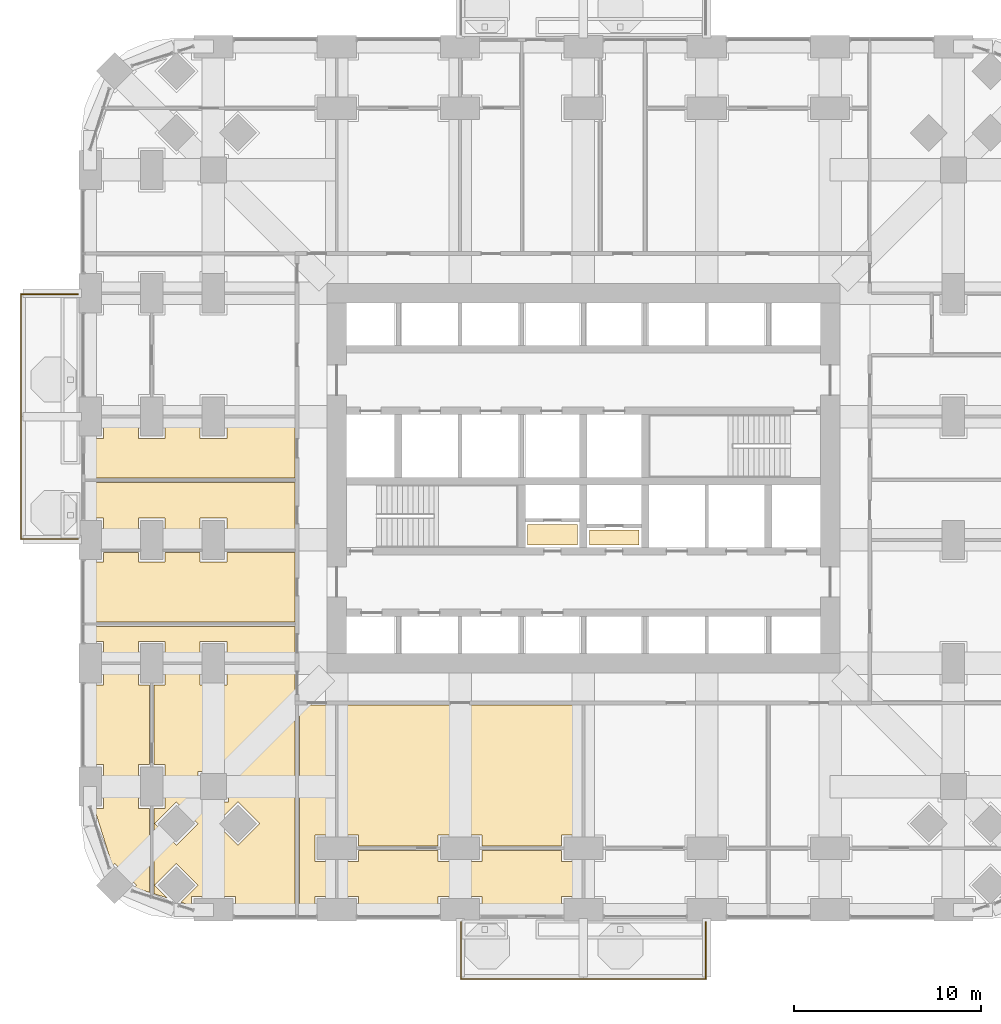
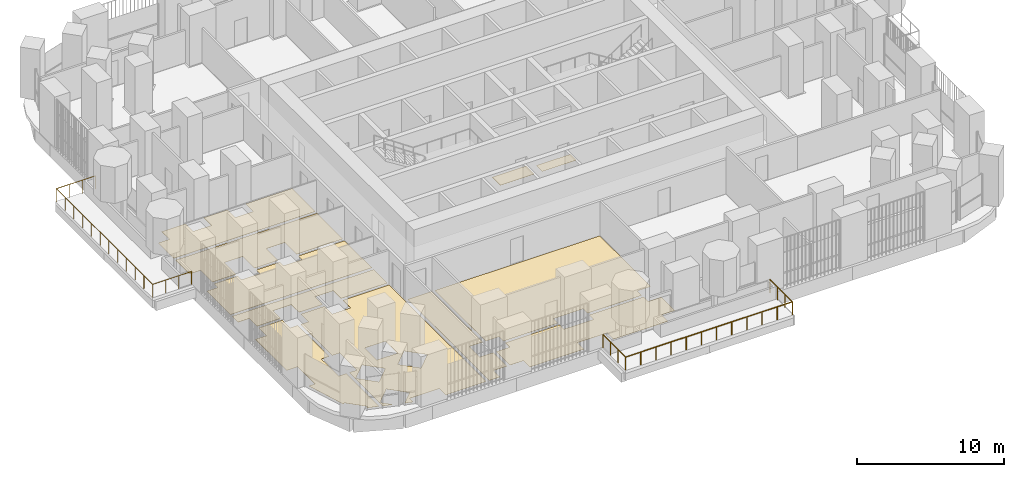
# One storey, part 22 of 26: 11 coverings, 2 railings.
"""IFC4 building model written with IfcOpenShell, lengths in metres."""

from ifc_helpers import new_model, si_unit, direction, frame, origin, place, context, subcontext, project, spatial, polyline, outline, extrude, material, layer, layer_set, type_object, element, save


model = new_model("IFC4")

# Units and contexts
model_context = context("Model", 3, precision=1e-05, world=origin(), true_north=direction((0.0, 1.0)))
body_context = subcontext(model_context, "Body", "Model", "MODEL_VIEW")
ifc_project = project(units=[si_unit("LENGTHUNIT", "METRE"), si_unit("AREAUNIT", "SQUARE_METRE"), si_unit("VOLUMEUNIT", "CUBIC_METRE"), si_unit("PLANEANGLEUNIT", "RADIAN"), si_unit("MASSUNIT", "GRAM", prefix="KILO")], contexts=[model_context])

# Site, building, storey
site_placement = place(None, origin())
site = spatial("IfcSite", under=ifc_project, at=site_placement, CompositionType="ELEMENT")
building_placement = place(site_placement, origin())
building = spatial("IfcBuilding", under=site, at=building_placement, Name="Cobogo Forest Laboratory Tower", CompositionType="ELEMENT")
storey_placement = place(building_placement, frame((0.0, 0.0, 25.5)))
storey = spatial("IfcBuildingStorey", under=building, at=storey_placement, Name="L05", CompositionType="ELEMENT", Elevation=25.5)

# Railings
ifc_material_1 = material(Name="Laminated glass balustrade", Category="glass")
railing_type = type_object("IfcRailingType", Name="BG1 glass balustrade 1100", PredefinedType="GUARDRAIL", material=ifc_material_1)
railing_1_placement = place(storey_placement, frame((19.85009765625, -0.64990234375, 0.0)))
element("IfcRailing", 1, at=railing_1_placement, inside=storey, type_object=railing_type, Name="Balcony balustrade BAL-S1 L05", PredefinedType="GUARDRAIL", context=body_context, shape_type="SweptSolid", body=[
    extrude(outline(polyline([(0.022216796875, 0.00927734375), (0.00927734375, 0.022216796875), (-0.00927734375, 0.022216796875), (-0.022216796875, 0.00927734375), (-0.022216796875, -0.00927734375), (-0.00927734375, -0.022216796875), (0.00927734375, -0.022216796875), (0.022216796875, -0.00927734375), (0.022216796875, 0.00927734375)])), frame((0.0, 0.0, 1.077880859375), z_axis=(0.0, -1.0, 0.0), x_axis=(1.0, 0.0, 0.0)), (0.0, 0.0, 1.0), 3.050048828125),
    extrude(outline(polyline([(0.022216796875, 0.00927734375), (0.00927734375, 0.022216796875), (-0.00927734375, 0.022216796875), (-0.022216796875, 0.00927734375), (-0.022216796875, -0.00927734375), (-0.00927734375, -0.022216796875), (0.00927734375, -0.022216796875), (0.022216796875, -0.00927734375), (0.022216796875, 0.00927734375)])), frame((0.0, -3.050048828125, 1.077880859375), z_axis=(1.0, 0.0, 0.0), x_axis=(0.0, 1.0, 0.0)), (0.0, 0.0, 1.0), 13.099853515625),
    extrude(outline(polyline([(0.022216796875, 0.00927734375), (0.00927734375, 0.022216796875), (-0.00927734375, 0.022216796875), (-0.022216796875, 0.00927734375), (-0.022216796875, -0.00927734375), (-0.00927734375, -0.022216796875), (0.00927734375, -0.022216796875), (0.022216796875, -0.00927734375), (0.022216796875, 0.00927734375)])), frame((13.099853515625, -3.050048828125, 1.077880859375), z_axis=(0.0, 1.0, 0.0), x_axis=(-1.0, 0.0, 0.0)), (0.0, 0.0, 1.0), 3.050048828125),
    extrude(outline(polyline([(0.019287109375, 0.008056640625), (0.008056640625, 0.019287109375), (-0.008056640625, 0.019287109375), (-0.019287109375, 0.008056640625), (-0.019287109375, -0.008056640625), (-0.008056640625, -0.019287109375), (0.008056640625, -0.019287109375), (0.019287109375, -0.008056640625), (0.019287109375, 0.008056640625)])), origin(), (0.0, 0.0, 1.0), 1.077880859375),
    extrude(outline(polyline([(0.019287109375, 0.008056640625), (0.008056640625, 0.019287109375), (-0.008056640625, 0.019287109375), (-0.019287109375, 0.008056640625), (-0.019287109375, -0.008056640625), (-0.008056640625, -0.019287109375), (0.008056640625, -0.019287109375), (0.019287109375, -0.008056640625), (0.019287109375, 0.008056640625)])), frame((0.0, -1.0166015625, 0.0)), (0.0, 0.0, 1.0), 1.077880859375),
    extrude(outline(polyline([(0.019287109375, 0.008056640625), (0.008056640625, 0.019287109375), (-0.008056640625, 0.019287109375), (-0.019287109375, 0.008056640625), (-0.019287109375, -0.008056640625), (-0.008056640625, -0.019287109375), (0.008056640625, -0.019287109375), (0.019287109375, -0.008056640625), (0.019287109375, 0.008056640625)])), frame((0.0, -2.033447265625, 0.0)), (0.0, 0.0, 1.0), 1.077880859375),
    extrude(outline(polyline([(0.019287109375, 0.008056640625), (0.008056640625, 0.019287109375), (-0.008056640625, 0.019287109375), (-0.019287109375, 0.008056640625), (-0.019287109375, -0.008056640625), (-0.008056640625, -0.019287109375), (0.008056640625, -0.019287109375), (0.019287109375, -0.008056640625), (0.019287109375, 0.008056640625)])), frame((0.0, -3.050048828125, 0.0)), (0.0, 0.0, 1.0), 1.077880859375),
    extrude(outline(polyline([(0.019287109375, 0.008056640625), (0.008056640625, 0.019287109375), (-0.008056640625, 0.019287109375), (-0.019287109375, 0.008056640625), (-0.019287109375, -0.008056640625), (-0.008056640625, -0.019287109375), (0.008056640625, -0.019287109375), (0.019287109375, -0.008056640625), (0.019287109375, 0.008056640625)])), frame((1.19091796875, -3.050048828125, 0.0)), (0.0, 0.0, 1.0), 1.077880859375),
    extrude(outline(polyline([(0.019287109375, 0.008056640625), (0.008056640625, 0.019287109375), (-0.008056640625, 0.019287109375), (-0.019287109375, 0.008056640625), (-0.019287109375, -0.008056640625), (-0.008056640625, -0.019287109375), (0.008056640625, -0.019287109375), (0.019287109375, -0.008056640625), (0.019287109375, 0.008056640625)])), frame((2.3818359375, -3.050048828125, 0.0)), (0.0, 0.0, 1.0), 1.077880859375),
    extrude(outline(polyline([(0.019287109375, 0.008056640625), (0.008056640625, 0.019287109375), (-0.008056640625, 0.019287109375), (-0.019287109375, 0.008056640625), (-0.019287109375, -0.008056640625), (-0.008056640625, -0.019287109375), (0.008056640625, -0.019287109375), (0.019287109375, -0.008056640625), (0.019287109375, 0.008056640625)])), frame((3.57275390625, -3.050048828125, 0.0)), (0.0, 0.0, 1.0), 1.077880859375),
    extrude(outline(polyline([(0.019287109375, 0.008056640625), (0.008056640625, 0.019287109375), (-0.008056640625, 0.019287109375), (-0.019287109375, 0.008056640625), (-0.019287109375, -0.008056640625), (-0.008056640625, -0.019287109375), (0.008056640625, -0.019287109375), (0.019287109375, -0.008056640625), (0.019287109375, 0.008056640625)])), frame((4.763671875, -3.050048828125, 0.0)), (0.0, 0.0, 1.0), 1.077880859375),
    extrude(outline(polyline([(0.019287109375, 0.008056640625), (0.008056640625, 0.019287109375), (-0.008056640625, 0.019287109375), (-0.019287109375, 0.008056640625), (-0.019287109375, -0.008056640625), (-0.008056640625, -0.019287109375), (0.008056640625, -0.019287109375), (0.019287109375, -0.008056640625), (0.019287109375, 0.008056640625)])), frame((5.95458984375, -3.050048828125, 0.0)), (0.0, 0.0, 1.0), 1.077880859375),
    extrude(outline(polyline([(0.019287109375, 0.008056640625), (0.008056640625, 0.019287109375), (-0.008056640625, 0.019287109375), (-0.019287109375, 0.008056640625), (-0.019287109375, -0.008056640625), (-0.008056640625, -0.019287109375), (0.008056640625, -0.019287109375), (0.019287109375, -0.008056640625), (0.019287109375, 0.008056640625)])), frame((7.145263671875, -3.050048828125, 0.0)), (0.0, 0.0, 1.0), 1.077880859375),
    extrude(outline(polyline([(0.019287109375, 0.008056640625), (0.008056640625, 0.019287109375), (-0.008056640625, 0.019287109375), (-0.019287109375, 0.008056640625), (-0.019287109375, -0.008056640625), (-0.008056640625, -0.019287109375), (0.008056640625, -0.019287109375), (0.019287109375, -0.008056640625), (0.019287109375, 0.008056640625)])), frame((8.336181640625, -3.050048828125, 0.0)), (0.0, 0.0, 1.0), 1.077880859375),
    extrude(outline(polyline([(0.019287109375, 0.008056640625), (0.008056640625, 0.019287109375), (-0.008056640625, 0.019287109375), (-0.019287109375, 0.008056640625), (-0.019287109375, -0.008056640625), (-0.008056640625, -0.019287109375), (0.008056640625, -0.019287109375), (0.019287109375, -0.008056640625), (0.019287109375, 0.008056640625)])), frame((9.527099609375, -3.050048828125, 0.0)), (0.0, 0.0, 1.0), 1.077880859375),
    extrude(outline(polyline([(0.019287109375, 0.008056640625), (0.008056640625, 0.019287109375), (-0.008056640625, 0.019287109375), (-0.019287109375, 0.008056640625), (-0.019287109375, -0.008056640625), (-0.008056640625, -0.019287109375), (0.008056640625, -0.019287109375), (0.019287109375, -0.008056640625), (0.019287109375, 0.008056640625)])), frame((10.718017578125, -3.050048828125, 0.0)), (0.0, 0.0, 1.0), 1.077880859375),
    extrude(outline(polyline([(0.019287109375, 0.008056640625), (0.008056640625, 0.019287109375), (-0.008056640625, 0.019287109375), (-0.019287109375, 0.008056640625), (-0.019287109375, -0.008056640625), (-0.008056640625, -0.019287109375), (0.008056640625, -0.019287109375), (0.019287109375, -0.008056640625), (0.019287109375, 0.008056640625)])), frame((11.908935546875, -3.050048828125, 0.0)), (0.0, 0.0, 1.0), 1.077880859375),
    extrude(outline(polyline([(0.019287109375, 0.008056640625), (0.008056640625, 0.019287109375), (-0.008056640625, 0.019287109375), (-0.019287109375, 0.008056640625), (-0.019287109375, -0.008056640625), (-0.008056640625, -0.019287109375), (0.008056640625, -0.019287109375), (0.019287109375, -0.008056640625), (0.019287109375, 0.008056640625)])), frame((13.099853515625, -3.050048828125, 0.0)), (0.0, 0.0, 1.0), 1.077880859375),
    extrude(outline(polyline([(0.019287109375, 0.008056640625), (0.008056640625, 0.019287109375), (-0.008056640625, 0.019287109375), (-0.019287109375, 0.008056640625), (-0.019287109375, -0.008056640625), (-0.008056640625, -0.019287109375), (0.008056640625, -0.019287109375), (0.019287109375, -0.008056640625), (0.019287109375, 0.008056640625)])), frame((13.099853515625, -2.033447265625, 0.0)), (0.0, 0.0, 1.0), 1.077880859375),
    extrude(outline(polyline([(0.019287109375, 0.008056640625), (0.008056640625, 0.019287109375), (-0.008056640625, 0.019287109375), (-0.019287109375, 0.008056640625), (-0.019287109375, -0.008056640625), (-0.008056640625, -0.019287109375), (0.008056640625, -0.019287109375), (0.019287109375, -0.008056640625), (0.019287109375, 0.008056640625)])), frame((13.099853515625, -1.0166015625, 0.0)), (0.0, 0.0, 1.0), 1.077880859375),
    extrude(outline(polyline([(0.019287109375, 0.008056640625), (0.008056640625, 0.019287109375), (-0.008056640625, 0.019287109375), (-0.019287109375, 0.008056640625), (-0.019287109375, -0.008056640625), (-0.008056640625, -0.019287109375), (0.008056640625, -0.019287109375), (0.019287109375, -0.008056640625), (0.019287109375, 0.008056640625)])), frame((13.099853515625, 0.0, 0.0)), (0.0, 0.0, 1.0), 1.077880859375),
])
railing_2_placement = place(storey_placement, frame((-0.64990234375, 19.85009765625, 0.0)))
element("IfcRailing", 2, at=railing_2_placement, inside=storey, type_object=railing_type, Name="Balcony balustrade BAL-W1 L05", PredefinedType="GUARDRAIL", context=body_context, shape_type="SweptSolid", body=[
    extrude(outline(polyline([(0.022216796875, 0.00927734375), (0.00927734375, 0.022216796875), (-0.00927734375, 0.022216796875), (-0.022216796875, 0.00927734375), (-0.022216796875, -0.00927734375), (-0.00927734375, -0.022216796875), (0.00927734375, -0.022216796875), (0.022216796875, -0.00927734375), (0.022216796875, 0.00927734375)])), frame((0.0, 0.0, 1.077880859375), z_axis=(-1.0, 0.0, 0.0), x_axis=(0.0, -1.0, 0.0)), (0.0, 0.0, 1.0), 3.050048828125),
    extrude(outline(polyline([(0.022216796875, 0.00927734375), (0.00927734375, 0.022216796875), (-0.00927734375, 0.022216796875), (-0.022216796875, 0.00927734375), (-0.022216796875, -0.00927734375), (-0.00927734375, -0.022216796875), (0.00927734375, -0.022216796875), (0.022216796875, -0.00927734375), (0.022216796875, 0.00927734375)])), frame((-3.050048828125, 0.0, 1.077880859375), z_axis=(0.0, 1.0, 0.0), x_axis=(-1.0, 0.0, 0.0)), (0.0, 0.0, 1.0), 13.099853515625),
    extrude(outline(polyline([(0.022216796875, 0.00927734375), (0.00927734375, 0.022216796875), (-0.00927734375, 0.022216796875), (-0.022216796875, 0.00927734375), (-0.022216796875, -0.00927734375), (-0.00927734375, -0.022216796875), (0.00927734375, -0.022216796875), (0.022216796875, -0.00927734375), (0.022216796875, 0.00927734375)])), frame((-3.050048828125, 13.099853515625, 1.077880859375), z_axis=(1.0, 0.0, 0.0), x_axis=(0.0, 1.0, 0.0)), (0.0, 0.0, 1.0), 3.050048828125),
    extrude(outline(polyline([(0.019287109375, 0.008056640625), (0.008056640625, 0.019287109375), (-0.008056640625, 0.019287109375), (-0.019287109375, 0.008056640625), (-0.019287109375, -0.008056640625), (-0.008056640625, -0.019287109375), (0.008056640625, -0.019287109375), (0.019287109375, -0.008056640625), (0.019287109375, 0.008056640625)])), origin(), (0.0, 0.0, 1.0), 1.077880859375),
    extrude(outline(polyline([(0.019287109375, 0.008056640625), (0.008056640625, 0.019287109375), (-0.008056640625, 0.019287109375), (-0.019287109375, 0.008056640625), (-0.019287109375, -0.008056640625), (-0.008056640625, -0.019287109375), (0.008056640625, -0.019287109375), (0.019287109375, -0.008056640625), (0.019287109375, 0.008056640625)])), frame((-1.0166015625, 0.0, 0.0)), (0.0, 0.0, 1.0), 1.077880859375),
    extrude(outline(polyline([(0.019287109375, 0.008056640625), (0.008056640625, 0.019287109375), (-0.008056640625, 0.019287109375), (-0.019287109375, 0.008056640625), (-0.019287109375, -0.008056640625), (-0.008056640625, -0.019287109375), (0.008056640625, -0.019287109375), (0.019287109375, -0.008056640625), (0.019287109375, 0.008056640625)])), frame((-2.033447265625, 0.0, 0.0)), (0.0, 0.0, 1.0), 1.077880859375),
    extrude(outline(polyline([(0.019287109375, 0.008056640625), (0.008056640625, 0.019287109375), (-0.008056640625, 0.019287109375), (-0.019287109375, 0.008056640625), (-0.019287109375, -0.008056640625), (-0.008056640625, -0.019287109375), (0.008056640625, -0.019287109375), (0.019287109375, -0.008056640625), (0.019287109375, 0.008056640625)])), frame((-3.050048828125, 0.0, 0.0)), (0.0, 0.0, 1.0), 1.077880859375),
    extrude(outline(polyline([(0.019287109375, 0.008056640625), (0.008056640625, 0.019287109375), (-0.008056640625, 0.019287109375), (-0.019287109375, 0.008056640625), (-0.019287109375, -0.008056640625), (-0.008056640625, -0.019287109375), (0.008056640625, -0.019287109375), (0.019287109375, -0.008056640625), (0.019287109375, 0.008056640625)])), frame((-3.050048828125, 1.19091796875, 0.0)), (0.0, 0.0, 1.0), 1.077880859375),
    extrude(outline(polyline([(0.019287109375, 0.008056640625), (0.008056640625, 0.019287109375), (-0.008056640625, 0.019287109375), (-0.019287109375, 0.008056640625), (-0.019287109375, -0.008056640625), (-0.008056640625, -0.019287109375), (0.008056640625, -0.019287109375), (0.019287109375, -0.008056640625), (0.019287109375, 0.008056640625)])), frame((-3.050048828125, 2.3818359375, 0.0)), (0.0, 0.0, 1.0), 1.077880859375),
    extrude(outline(polyline([(0.019287109375, 0.008056640625), (0.008056640625, 0.019287109375), (-0.008056640625, 0.019287109375), (-0.019287109375, 0.008056640625), (-0.019287109375, -0.008056640625), (-0.008056640625, -0.019287109375), (0.008056640625, -0.019287109375), (0.019287109375, -0.008056640625), (0.019287109375, 0.008056640625)])), frame((-3.050048828125, 3.57275390625, 0.0)), (0.0, 0.0, 1.0), 1.077880859375),
    extrude(outline(polyline([(0.019287109375, 0.008056640625), (0.008056640625, 0.019287109375), (-0.008056640625, 0.019287109375), (-0.019287109375, 0.008056640625), (-0.019287109375, -0.008056640625), (-0.008056640625, -0.019287109375), (0.008056640625, -0.019287109375), (0.019287109375, -0.008056640625), (0.019287109375, 0.008056640625)])), frame((-3.050048828125, 4.763671875, 0.0)), (0.0, 0.0, 1.0), 1.077880859375),
    extrude(outline(polyline([(0.019287109375, 0.008056640625), (0.008056640625, 0.019287109375), (-0.008056640625, 0.019287109375), (-0.019287109375, 0.008056640625), (-0.019287109375, -0.008056640625), (-0.008056640625, -0.019287109375), (0.008056640625, -0.019287109375), (0.019287109375, -0.008056640625), (0.019287109375, 0.008056640625)])), frame((-3.050048828125, 5.95458984375, 0.0)), (0.0, 0.0, 1.0), 1.077880859375),
    extrude(outline(polyline([(0.019287109375, 0.008056640625), (0.008056640625, 0.019287109375), (-0.008056640625, 0.019287109375), (-0.019287109375, 0.008056640625), (-0.019287109375, -0.008056640625), (-0.008056640625, -0.019287109375), (0.008056640625, -0.019287109375), (0.019287109375, -0.008056640625), (0.019287109375, 0.008056640625)])), frame((-3.050048828125, 7.145263671875, 0.0)), (0.0, 0.0, 1.0), 1.077880859375),
    extrude(outline(polyline([(0.019287109375, 0.008056640625), (0.008056640625, 0.019287109375), (-0.008056640625, 0.019287109375), (-0.019287109375, 0.008056640625), (-0.019287109375, -0.008056640625), (-0.008056640625, -0.019287109375), (0.008056640625, -0.019287109375), (0.019287109375, -0.008056640625), (0.019287109375, 0.008056640625)])), frame((-3.050048828125, 8.336181640625, 0.0)), (0.0, 0.0, 1.0), 1.077880859375),
    extrude(outline(polyline([(0.019287109375, 0.008056640625), (0.008056640625, 0.019287109375), (-0.008056640625, 0.019287109375), (-0.019287109375, 0.008056640625), (-0.019287109375, -0.008056640625), (-0.008056640625, -0.019287109375), (0.008056640625, -0.019287109375), (0.019287109375, -0.008056640625), (0.019287109375, 0.008056640625)])), frame((-3.050048828125, 9.527099609375, 0.0)), (0.0, 0.0, 1.0), 1.077880859375),
    extrude(outline(polyline([(0.019287109375, 0.008056640625), (0.008056640625, 0.019287109375), (-0.008056640625, 0.019287109375), (-0.019287109375, 0.008056640625), (-0.019287109375, -0.008056640625), (-0.008056640625, -0.019287109375), (0.008056640625, -0.019287109375), (0.019287109375, -0.008056640625), (0.019287109375, 0.008056640625)])), frame((-3.050048828125, 10.718017578125, 0.0)), (0.0, 0.0, 1.0), 1.077880859375),
    extrude(outline(polyline([(0.019287109375, 0.008056640625), (0.008056640625, 0.019287109375), (-0.008056640625, 0.019287109375), (-0.019287109375, 0.008056640625), (-0.019287109375, -0.008056640625), (-0.008056640625, -0.019287109375), (0.008056640625, -0.019287109375), (0.019287109375, -0.008056640625), (0.019287109375, 0.008056640625)])), frame((-3.050048828125, 11.908935546875, 0.0)), (0.0, 0.0, 1.0), 1.077880859375),
    extrude(outline(polyline([(0.019287109375, 0.008056640625), (0.008056640625, 0.019287109375), (-0.008056640625, 0.019287109375), (-0.019287109375, 0.008056640625), (-0.019287109375, -0.008056640625), (-0.008056640625, -0.019287109375), (0.008056640625, -0.019287109375), (0.019287109375, -0.008056640625), (0.019287109375, 0.008056640625)])), frame((-3.050048828125, 13.099853515625, 0.0)), (0.0, 0.0, 1.0), 1.077880859375),
    extrude(outline(polyline([(0.019287109375, 0.008056640625), (0.008056640625, 0.019287109375), (-0.008056640625, 0.019287109375), (-0.019287109375, 0.008056640625), (-0.019287109375, -0.008056640625), (-0.008056640625, -0.019287109375), (0.008056640625, -0.019287109375), (0.019287109375, -0.008056640625), (0.019287109375, 0.008056640625)])), frame((-2.033447265625, 13.099853515625, 0.0)), (0.0, 0.0, 1.0), 1.077880859375),
    extrude(outline(polyline([(0.019287109375, 0.008056640625), (0.008056640625, 0.019287109375), (-0.008056640625, 0.019287109375), (-0.019287109375, 0.008056640625), (-0.019287109375, -0.008056640625), (-0.008056640625, -0.019287109375), (0.008056640625, -0.019287109375), (0.019287109375, -0.008056640625), (0.019287109375, 0.008056640625)])), frame((-1.0166015625, 13.099853515625, 0.0)), (0.0, 0.0, 1.0), 1.077880859375),
    extrude(outline(polyline([(0.019287109375, 0.008056640625), (0.008056640625, 0.019287109375), (-0.008056640625, 0.019287109375), (-0.019287109375, 0.008056640625), (-0.019287109375, -0.008056640625), (-0.008056640625, -0.019287109375), (0.008056640625, -0.019287109375), (0.019287109375, -0.008056640625), (0.019287109375, 0.008056640625)])), frame((0.0, 13.099853515625, 0.0)), (0.0, 0.0, 1.0), 1.077880859375),
])

# Coverings
ifc_material_2 = material(Name="Carpet tile on raised access floor", Category="flooring")
ifc_layer_1 = layer(ifc_material_2, 0.008056640625)
ifc_layer_set_1 = layer_set([ifc_layer_1], Name="CT1 carpet tile floor 8")
covering_type_1 = type_object("IfcCoveringType", Name="CT1 carpet tile floor 8", PredefinedType="FLOORING", material=ifc_layer_set_1)
covering_1_placement = place(storey_placement, origin())
element("IfcCovering", 3, at=covering_1_placement, inside=storey, type_object=covering_type_1, Name="Carpet floor L05-01", PredefinedType="FLOORING", context=body_context, shape_type="SweptSolid", body=[
    extrude(outline(polyline([(13.080078125, 10.955078125), (13.080078125, 4.02001953125), (12.030029296875, 4.02001953125), (12.030029296875, 2.580078125), (13.080078125, 2.580078125), (13.080078125, 0.719970703125), (12.030029296875, 0.719970703125), (12.030029296875, -0.14990234375), (11.195068359375, -0.14990234375), (11.195068359375, 10.955078125), (13.080078125, 10.955078125)])), origin(), (0.0, 0.0, 1.0), 0.008056640625),
])
covering_2_placement = place(storey_placement, origin())
element("IfcCovering", 4, at=covering_2_placement, inside=storey, type_object=covering_type_1, Name="Carpet floor L05-03", PredefinedType="FLOORING", context=body_context, shape_type="SweptSolid", body=[
    extrude(outline(polyline([(18.6298828125, 3.179931640625), (18.6298828125, 2.580078125), (20.969970703125, 2.580078125), (20.969970703125, 3.179931640625), (25.22998046875, 3.179931640625), (25.22998046875, 2.580078125), (26.280029296875, 2.580078125), (26.280029296875, 0.719970703125), (25.22998046875, 0.719970703125), (25.22998046875, -0.14990234375), (20.969970703125, -0.14990234375), (20.969970703125, 0.719970703125), (18.6298828125, 0.719970703125), (18.6298828125, -0.14990234375), (14.3701171875, -0.14990234375), (14.3701171875, 0.719970703125), (13.320068359375, 0.719970703125), (13.320068359375, 2.580078125), (14.3701171875, 2.580078125), (14.3701171875, 3.179931640625), (18.6298828125, 3.179931640625)])), origin(), (0.0, 0.0, 1.0), 0.008056640625),
])
covering_3_placement = place(storey_placement, origin())
element("IfcCovering", 5, at=covering_3_placement, inside=storey, type_object=covering_type_1, Name="Carpet floor L05-29", PredefinedType="FLOORING", context=body_context, shape_type="SweptSolid", body=[
    extrude(outline(polyline([(3.179931640625, 7.77001953125), (2.580078125, 7.77001953125), (2.580078125, 5.429931640625), (3.179931640625, 5.429931640625), (3.179931640625, 0.939697265625), (2.358642578125, 1.19921875), (2.477783203125, 1.318115234375), (1.318115234375, 2.477783203125), (1.19921875, 2.358642578125), (0.229248046875, 5.429931640625), (0.719970703125, 5.429931640625), (0.719970703125, 7.77001953125), (-0.14990234375, 7.77001953125), (-0.14990234375, 12.030029296875), (0.719970703125, 12.030029296875), (0.719970703125, 13.080078125), (2.580078125, 13.080078125), (2.580078125, 12.030029296875), (3.179931640625, 12.030029296875), (3.179931640625, 7.77001953125)])), origin(), (0.0, 0.0, 1.0), 0.008056640625),
])
covering_4_placement = place(storey_placement, origin())
element("IfcCovering", 6, at=covering_4_placement, inside=storey, type_object=covering_type_1, Name="Carpet floor L05-42", PredefinedType="FLOORING", context=body_context, shape_type="SweptSolid", body=[
    extrude(outline(polyline([(26.080078125, 19.52001953125), (23.419921875, 19.52001953125), (23.419921875, 20.6298828125), (26.080078125, 20.6298828125), (26.080078125, 19.52001953125)])), origin(), (0.0, 0.0, 1.0), 0.008056640625),
])
covering_5_placement = place(storey_placement, origin())
element("IfcCovering", 7, at=covering_5_placement, inside=storey, type_object=covering_type_1, Name="Carpet floor L05-44", PredefinedType="FLOORING", context=body_context, shape_type="SweptSolid", body=[
    extrude(outline(polyline([(29.3798828125, 19.52001953125), (26.719970703125, 19.52001953125), (26.719970703125, 20.330078125), (29.3798828125, 20.330078125), (29.3798828125, 19.52001953125)])), origin(), (0.0, 0.0, 1.0), 0.008056640625),
])
ifc_material_3 = material(Name="Epoxy resin flooring", Category="flooring")
ifc_layer_2 = layer(ifc_material_3, 0.00390625)
ifc_layer_set_2 = layer_set([ifc_layer_2], Name="LF1 epoxy laboratory floor 4")
covering_type_2 = type_object("IfcCoveringType", Name="LF1 epoxy laboratory floor 4", PredefinedType="FLOORING", material=ifc_layer_set_2)
covering_6_placement = place(storey_placement, origin())
element("IfcCovering", 8, at=covering_6_placement, inside=storey, type_object=covering_type_2, Name="Epoxy laboratory floor L05-02", PredefinedType="FLOORING", context=body_context, shape_type="SweptSolid", body=[
    extrude(outline(polyline([(13.320068359375, 10.955078125), (26.280029296875, 10.955078125), (26.280029296875, 4.02001953125), (25.22998046875, 4.02001953125), (25.22998046875, 3.419921875), (20.969970703125, 3.419921875), (20.969970703125, 4.02001953125), (18.6298828125, 4.02001953125), (18.6298828125, 3.419921875), (14.3701171875, 3.419921875), (14.3701171875, 4.02001953125), (13.320068359375, 4.02001953125), (13.320068359375, 10.955078125)])), origin(), (0.0, 0.0, 1.0), 0.00390625),
])
covering_7_placement = place(storey_placement, origin())
element("IfcCovering", 9, at=covering_7_placement, inside=storey, type_object=covering_type_2, Name="Epoxy laboratory floor L05-28", PredefinedType="FLOORING", context=body_context, shape_type="SweptSolid", body=[
    extrude(outline(polyline([(5.8798828125, 13.080078125), (5.8798828125, 12.030029296875), (7.320068359375, 12.030029296875), (7.320068359375, 13.080078125), (10.955078125, 13.080078125), (10.955078125, -0.14990234375), (7.77001953125, -0.14990234375), (7.77001953125, 0.719970703125), (5.429931640625, 0.719970703125), (5.429931640625, 0.229248046875), (4.86669921875, 0.406982421875), (5.777587890625, 1.318115234375), (4.617919921875, 2.477783203125), (3.458251953125, 1.318115234375), (4.1396484375, 0.63671875), (3.419921875, 0.864013671875), (3.419921875, 5.429931640625), (4.02001953125, 5.429931640625), (4.02001953125, 7.77001953125), (3.419921875, 7.77001953125), (3.419921875, 12.030029296875), (4.02001953125, 12.030029296875), (4.02001953125, 13.080078125), (5.8798828125, 13.080078125)]), holes=[polyline([(7.91796875, 5.777587890625), (6.75830078125, 4.617919921875), (7.91796875, 3.458251953125), (9.07763671875, 4.617919921875), (7.91796875, 5.777587890625)]), polyline([(5.780029296875, 7.419921875), (5.780029296875, 5.780029296875), (7.419921875, 5.780029296875), (7.419921875, 7.419921875), (5.780029296875, 7.419921875)]), polyline([(3.458251953125, 4.617919921875), (4.617919921875, 3.458251953125), (5.777587890625, 4.617919921875), (4.617919921875, 5.777587890625), (3.458251953125, 4.617919921875)])]), origin(), (0.0, 0.0, 1.0), 0.00390625),
])
ifc_material_4 = material(Name="Ceramic floor tile", Category="flooring")
ifc_layer_3 = layer(ifc_material_4, 0.010009765625)
ifc_layer_set_3 = layer_set([ifc_layer_3], Name="TF1 ceramic tile floor 10")
covering_type_3 = type_object("IfcCoveringType", Name="TF1 ceramic tile floor 10", PredefinedType="FLOORING", material=ifc_layer_set_3)
covering_8_placement = place(storey_placement, origin())
element("IfcCovering", 10, at=covering_8_placement, inside=storey, type_object=covering_type_3, Name="Tile floor L05-30", PredefinedType="FLOORING", context=body_context, shape_type="SweptSolid", body=[
    extrude(outline(polyline([(10.955078125, 13.320068359375), (7.320068359375, 13.320068359375), (7.320068359375, 14.3701171875), (5.8798828125, 14.3701171875), (5.8798828125, 13.320068359375), (4.02001953125, 13.320068359375), (4.02001953125, 14.3701171875), (2.580078125, 14.3701171875), (2.580078125, 13.320068359375), (0.719970703125, 13.320068359375), (0.719970703125, 14.3701171875), (-0.14990234375, 14.3701171875), (-0.14990234375, 15.179931640625), (10.955078125, 15.179931640625), (10.955078125, 13.320068359375)])), origin(), (0.0, 0.0, 1.0), 0.010009765625),
])
covering_9_placement = place(storey_placement, origin())
element("IfcCovering", 11, at=covering_9_placement, inside=storey, type_object=covering_type_3, Name="Tile floor L05-31", PredefinedType="FLOORING", context=body_context, shape_type="SweptSolid", body=[
    extrude(outline(polyline([(10.955078125, 15.419921875), (-0.14990234375, 15.419921875), (-0.14990234375, 18.6298828125), (0.719970703125, 18.6298828125), (0.719970703125, 19.1298828125), (2.580078125, 19.1298828125), (2.580078125, 18.6298828125), (4.02001953125, 18.6298828125), (4.02001953125, 19.1298828125), (5.8798828125, 19.1298828125), (5.8798828125, 18.6298828125), (7.320068359375, 18.6298828125), (7.320068359375, 19.1298828125), (10.955078125, 19.1298828125), (10.955078125, 15.419921875)])), origin(), (0.0, 0.0, 1.0), 0.010009765625),
])
covering_10_placement = place(storey_placement, origin())
element("IfcCovering", 12, at=covering_10_placement, inside=storey, type_object=covering_type_3, Name="Tile floor L05-32", PredefinedType="FLOORING", context=body_context, shape_type="SweptSolid", body=[
    extrude(outline(polyline([(10.955078125, 19.3701171875), (7.320068359375, 19.3701171875), (7.320068359375, 20.969970703125), (5.8798828125, 20.969970703125), (5.8798828125, 19.3701171875), (4.02001953125, 19.3701171875), (4.02001953125, 20.969970703125), (2.580078125, 20.969970703125), (2.580078125, 19.3701171875), (0.719970703125, 19.3701171875), (0.719970703125, 20.969970703125), (-0.14990234375, 20.969970703125), (-0.14990234375, 22.8798828125), (10.955078125, 22.8798828125), (10.955078125, 19.3701171875)])), origin(), (0.0, 0.0, 1.0), 0.010009765625),
])
covering_11_placement = place(storey_placement, origin())
element("IfcCovering", 13, at=covering_11_placement, inside=storey, type_object=covering_type_3, Name="Tile floor L05-33", PredefinedType="FLOORING", context=body_context, shape_type="SweptSolid", body=[
    extrude(outline(polyline([(10.955078125, 23.1201171875), (-0.14990234375, 23.1201171875), (-0.14990234375, 25.22998046875), (0.719970703125, 25.22998046875), (0.719970703125, 26.280029296875), (2.580078125, 26.280029296875), (2.580078125, 25.22998046875), (4.02001953125, 25.22998046875), (4.02001953125, 26.280029296875), (5.8798828125, 26.280029296875), (5.8798828125, 25.22998046875), (7.320068359375, 25.22998046875), (7.320068359375, 26.280029296875), (10.955078125, 26.280029296875), (10.955078125, 23.1201171875)])), origin(), (0.0, 0.0, 1.0), 0.010009765625),
])

save(model, "model.ifc")
